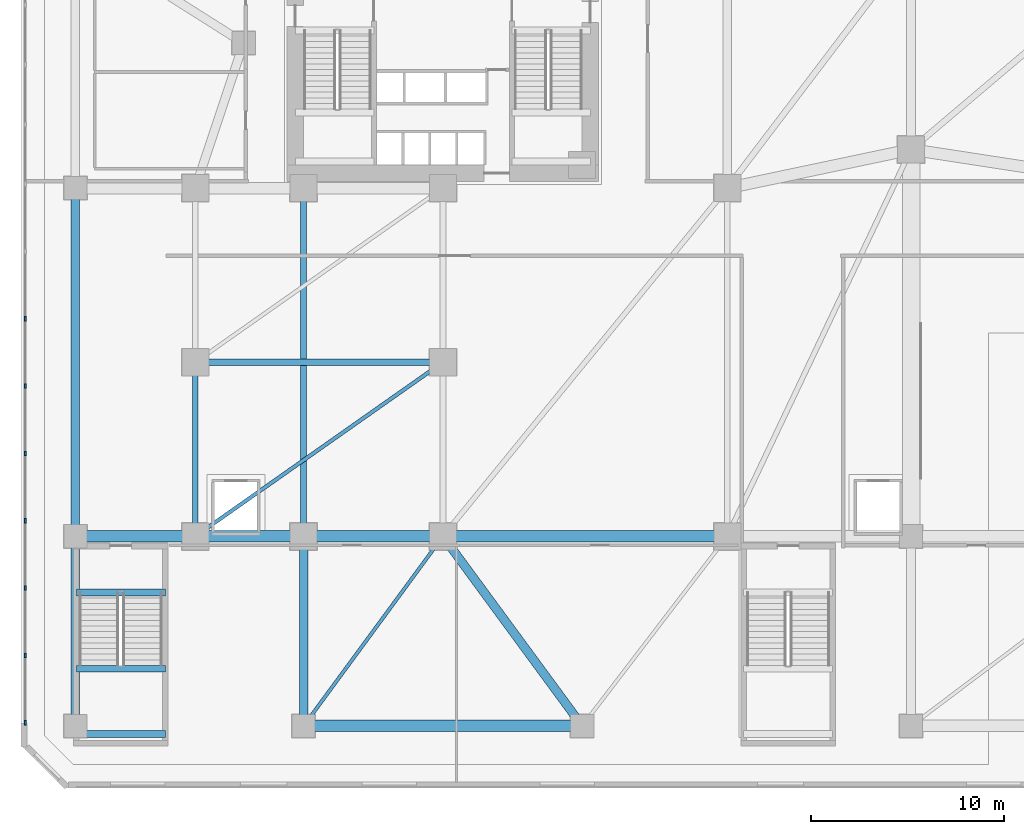
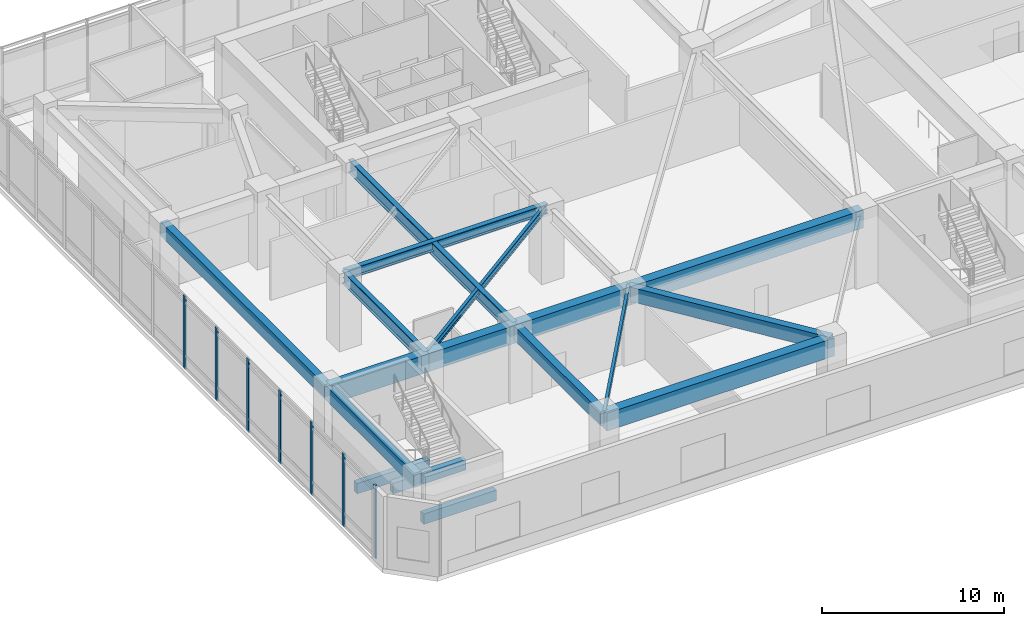
# One storey, part 2 of 15: 17 beams, 7 members, 1 element without a shape of its own.
"""IFC4 building model written with IfcOpenShell, lengths in metres."""

from ifc_helpers import new_model, si_unit, direction, frame, origin, origin_2d, place, context, subcontext, project, spatial, rectangle, i_section, extrude, source, transform, mapped, material, material_profile, profile_set, type_object, element, aggregate, save


model = new_model("IFC4")

# Units and contexts
model_context = context("Model", 3, precision=1e-05, world=origin(), true_north=direction((0.0, 1.0)))
body_context = subcontext(model_context, "Body", "Model", "MODEL_VIEW")
ifc_project = project(units=[si_unit("LENGTHUNIT", "METRE"), si_unit("AREAUNIT", "SQUARE_METRE"), si_unit("VOLUMEUNIT", "CUBIC_METRE"), si_unit("PLANEANGLEUNIT", "RADIAN"), si_unit("MASSUNIT", "GRAM", prefix="KILO")], contexts=[model_context])

# Site, building, storey
site_placement = place(None, origin())
site = spatial("IfcSite", under=ifc_project, at=site_placement, CompositionType="ELEMENT")
building_placement = place(site_placement, origin())
building = spatial("IfcBuilding", under=site, at=building_placement, Name="Calvemar Wedge Station Tower", CompositionType="ELEMENT")
storey_placement = place(building_placement, frame((0.0, 0.0, 16.39990234375)))
storey = spatial("IfcBuildingStorey", under=building, at=storey_placement, Name="L04", CompositionType="ELEMENT", Elevation=16.39990234375)

# Beams
ifc_material_1 = material(Name="Concrete C70", Category="concrete")
ifc_material_profile_1 = material_profile(ifc_material_1, rectangle(XDim=0.35009765625, YDim=0.699951171875, at=origin_2d()), Name="RC350x700")
ifc_profile_set_1 = profile_set([ifc_material_profile_1], Name="Concrete C70")
beam_type_1 = type_object("IfcBeamType", Name="BM-LN1-700", PredefinedType="LINTEL", material=ifc_profile_set_1)
shared_shape_1 = source(origin(), body_context, "Body", "SweptSolid", [
    extrude(rectangle(XDim=0.35009765625, YDim=0.699951171875, at=origin_2d()), origin(), (0.0, 0.0, 1.0), 4.599853515625),
])
for number, where, z_axis, x_axis, name in (
    (1, (4.85009765625, 12.10009765625, -0.349853515625), (1.0, 0.0, 0.0), (0.0, 1.0, 0.0), "Storey L04 Stair ST-P1 Landing Trimmer Beam"),
    (2, (4.85009765625, 4.780029296875, 2.050048828125), (1.0, 0.0, 0.0), (0.0, 1.0, 0.0), "Storey L04 Stair ST-P1 Half-Landing Beam 1A"),
    (3, (4.85009765625, 8.14990234375, 2.050048828125), (1.0, 0.0, 0.0), (0.0, 1.0, 0.0), "Storey L04 Stair ST-P1 Half-Landing Beam 1B"),
):
    element("IfcBeam", number, at=place(storey_placement, frame(where, z_axis=z_axis, x_axis=x_axis)), inside=storey, type_object=beam_type_1, Name=name, PredefinedType="LINTEL", context=body_context, shape_type="MappedRepresentation", body=[
        mapped(shared_shape_1, transform((0.0, 0.0, 0.0), scale=1.0)),
    ])
ifc_material_2 = material(Name="Concrete C60", Category="concrete")
ifc_material_profile_2 = material_profile(ifc_material_2, rectangle(XDim=0.60009765625, YDim=1.199951171875, at=origin_2d()), Name="RC600x1200")
ifc_profile_set_2 = profile_set([ifc_material_profile_2], Name="Concrete C60")
beam_type_2 = type_object("IfcBeamType", Name="BM-G1-1200", PredefinedType="BEAM", material=ifc_profile_set_2)
shared_shape_2 = source(origin(), body_context, "Body", "SweptSolid", [
    extrude(rectangle(XDim=0.60009765625, YDim=1.199951171875, at=origin_2d()), origin(), (0.0, 0.0, 1.0), 14.39990234375),
])
beam_1_placement = place(storey_placement, frame((16.60009765625, 5.199951171875, 4.25), z_axis=(1.0, 0.0, 0.0), x_axis=(0.0, 1.0, 0.0)))
element("IfcBeam", 4, at=beam_1_placement, inside=storey, type_object=beam_type_2, Name="Storey L04 Primary Girder G02", PredefinedType="BEAM", context=body_context, shape_type="MappedRepresentation", body=[
    mapped(shared_shape_2, transform((0.0, 0.0, 0.0), scale=1.0)),
])
shared_shape_3 = source(origin(), body_context, "Body", "SweptSolid", [
    extrude(rectangle(XDim=0.60009765625, YDim=1.199951171875, at=origin_2d()), origin(), (0.0, 0.0, 1.0), 6.199951171875),
])
beam_2_placement = place(storey_placement, frame((4.800048828125, 15.0, 4.25), z_axis=(1.0, 0.0, 0.0), x_axis=(0.0, 1.0, 0.0)))
element("IfcBeam", 5, at=beam_2_placement, inside=storey, type_object=beam_type_2, Name="Storey L04 Primary Girder G05", PredefinedType="BEAM", context=body_context, shape_type="MappedRepresentation", body=[
    mapped(shared_shape_3, transform((0.0, 0.0, 0.0), scale=1.0)),
])
shared_shape_4 = source(origin(), body_context, "Body", "SweptSolid", [
    extrude(rectangle(XDim=0.60009765625, YDim=1.199951171875, at=origin_2d()), origin(), (0.0, 0.0, 1.0), 5.60009765625),
])
beam_3_placement = place(storey_placement, frame((11.0, 15.0, 4.25), z_axis=(1.0, 0.0, 0.0), x_axis=(0.0, 1.0, 0.0)))
element("IfcBeam", 6, at=beam_3_placement, inside=storey, type_object=beam_type_2, Name="Storey L04 Primary Girder G06", PredefinedType="BEAM", context=body_context, shape_type="MappedRepresentation", body=[
    mapped(shared_shape_4, transform((0.0, 0.0, 0.0), scale=1.0)),
])
shared_shape_5 = source(origin(), body_context, "Body", "SweptSolid", [
    extrude(rectangle(XDim=0.60009765625, YDim=1.199951171875, at=origin_2d()), origin(), (0.0, 0.0, 1.0), 7.199951171875),
])
beam_4_placement = place(storey_placement, frame((16.60009765625, 15.0, 4.25), z_axis=(1.0, 0.0, 0.0), x_axis=(0.0, 1.0, 0.0)))
element("IfcBeam", 7, at=beam_4_placement, inside=storey, type_object=beam_type_2, Name="Storey L04 Primary Girder G07", PredefinedType="BEAM", context=body_context, shape_type="MappedRepresentation", body=[
    mapped(shared_shape_5, transform((0.0, 0.0, 0.0), scale=1.0)),
])
shared_shape_6 = source(origin(), body_context, "Body", "SweptSolid", [
    extrude(rectangle(XDim=0.60009765625, YDim=1.199951171875, at=origin_2d()), origin(), (0.0, 0.0, 1.0), 14.699951171875),
])
beam_5_placement = place(storey_placement, frame((23.800048828125, 15.0, 4.25), z_axis=(1.0, 0.0, 0.0), x_axis=(0.0, 1.0, 0.0)))
element("IfcBeam", 8, at=beam_5_placement, inside=storey, type_object=beam_type_2, Name="Storey L04 Primary Girder G08", PredefinedType="BEAM", context=body_context, shape_type="MappedRepresentation", body=[
    mapped(shared_shape_6, transform((0.0, 0.0, 0.0), scale=1.0)),
])
ifc_material_3 = material(Name="Concrete C50", Category="concrete")
ifc_material_profile_3 = material_profile(ifc_material_3, rectangle(XDim=0.449951171875, YDim=0.949951171875, at=origin_2d()), Name="RC450x950")
ifc_profile_set_3 = profile_set([ifc_material_profile_3], Name="Concrete C50")
beam_type_3 = type_object("IfcBeamType", Name="BM-G2-950", PredefinedType="BEAM", material=ifc_profile_set_3)
shared_shape_7 = source(origin(), body_context, "Body", "SweptSolid", [
    extrude(rectangle(XDim=0.449951171875, YDim=0.949951171875, at=origin_2d()), origin(), (0.0, 0.0, 1.0), 18.0),
])
beam_6_placement = place(storey_placement, frame((4.800048828125, 15.0, 4.375), z_axis=(0.0, 1.0, 0.0), x_axis=(-1.0, 0.0, 0.0)))
element("IfcBeam", 9, at=beam_6_placement, inside=storey, type_object=beam_type_3, Name="Storey L04 Primary Girder G18", PredefinedType="BEAM", context=body_context, shape_type="MappedRepresentation", body=[
    mapped(shared_shape_7, transform((0.0, 0.0, 0.0), scale=1.0)),
])
ifc_material_4 = material(Name="Structural steel ASTM A572 Grade 50", Category="steel")
ifc_material_profile_4 = material_profile(ifc_material_4, i_section(OverallWidth=0.303955078125, OverallDepth=0.862060546875, WebThickness=0.019775390625, FlangeThickness=0.035888671875, FilletRadius=0.02001953125, at=origin_2d()), Name="W840x329")
ifc_profile_set_4 = profile_set([ifc_material_profile_4], Name="Structural steel ASTM A572 Grade 50")
beam_type_4 = type_object("IfcBeamType", Name="BM-TR2-W840", PredefinedType="BEAM", material=ifc_profile_set_4)
shared_shape_8 = source(origin(), body_context, "Body", "SweptSolid", [
    extrude(i_section(OverallWidth=0.303955078125, OverallDepth=0.862060546875, WebThickness=0.019775390625, FlangeThickness=0.035888671875, FilletRadius=0.02001953125, at=origin_2d()), origin(), (0.0, 0.0, 1.0), 9.0),
])
beam_7_placement = place(storey_placement, frame((11.0, 15.0, 4.419189453125), z_axis=(0.0, 1.0, 0.0), x_axis=(-1.0, 0.0, 0.0)))
element("IfcBeam", 10, at=beam_7_placement, inside=storey, type_object=beam_type_4, Name="Storey L04 Primary Girder G19", PredefinedType="BEAM", context=body_context, shape_type="MappedRepresentation", body=[
    mapped(shared_shape_8, transform((0.0, 0.0, 0.0), scale=1.0)),
])
shared_shape_9 = source(origin(), body_context, "Body", "SweptSolid", [
    extrude(i_section(OverallWidth=0.303955078125, OverallDepth=0.862060546875, WebThickness=0.019775390625, FlangeThickness=0.035888671875, FilletRadius=0.02001953125, at=origin_2d()), origin(), (0.0, 0.0, 1.0), 18.0),
])
beam_8_placement = place(storey_placement, frame((16.60009765625, 15.0, 4.419189453125), z_axis=(0.0, 1.0, 0.0), x_axis=(-1.0, 0.0, 0.0)))
element("IfcBeam", 11, at=beam_8_placement, inside=storey, type_object=beam_type_4, Name="Storey L04 Primary Girder G21", PredefinedType="BEAM", context=body_context, shape_type="MappedRepresentation", body=[
    mapped(shared_shape_9, transform((0.0, 0.0, 0.0), scale=1.0)),
])
ifc_material_profile_5 = material_profile(ifc_material_4, i_section(OverallWidth=0.3291015625, OverallDepth=0.635009765625, WebThickness=0.017822265625, FlangeThickness=0.031005859375, FilletRadius=0.014892578125, at=origin_2d()), Name="W610x241")
ifc_profile_set_5 = profile_set([ifc_material_profile_5], Name="Structural steel ASTM A572 Grade 50")
beam_type_5 = type_object("IfcBeamType", Name="BM-SB1-W610H", PredefinedType="BEAM", material=ifc_profile_set_5)
shared_shape_10 = source(origin(), body_context, "Body", "SweptSolid", [
    extrude(i_section(OverallWidth=0.3291015625, OverallDepth=0.635009765625, WebThickness=0.017822265625, FlangeThickness=0.031005859375, FilletRadius=0.014892578125, at=origin_2d()), origin(), (0.0, 0.0, 1.0), 12.800048828125),
])
beam_9_placement = place(storey_placement, frame((11.0, 24.0, 4.53271484375), z_axis=(1.0, 0.0, 0.0), x_axis=(0.0, 1.0, 0.0)))
element("IfcBeam", 12, at=beam_9_placement, inside=storey, type_object=beam_type_5, Name="Storey L04 Primary Girder G27", PredefinedType="BEAM", context=body_context, shape_type="MappedRepresentation", body=[
    mapped(shared_shape_10, transform((0.0, 0.0, 0.0), scale=1.0)),
])
shared_shape_11 = source(origin(), body_context, "Body", "SweptSolid", [
    extrude(rectangle(XDim=0.449951171875, YDim=0.949951171875, at=origin_2d()), origin(), (0.0, 0.0, 1.0), 9.800048828125),
])
for number, where, z_axis, x_axis, name in (
    (13, (4.800048828125, 5.199951171875, 4.375), (0.0, 1.0, 0.0), (-1.0, 0.0, 0.0), "Storey L04 Primary Girder G28"),
    (14, (16.60009765625, 5.199951171875, 4.375), (0.0, 1.0, 0.0), (-1.0, 0.0, 0.0), "Storey L04 Primary Girder G29"),
):
    element("IfcBeam", number, at=place(storey_placement, frame(where, z_axis=z_axis, x_axis=x_axis)), inside=storey, type_object=beam_type_3, Name=name, PredefinedType="BEAM", context=body_context, shape_type="MappedRepresentation", body=[
        mapped(shared_shape_11, transform((0.0, 0.0, 0.0), scale=1.0)),
    ])
shared_shape_12 = source(origin(), body_context, "Body", "SweptSolid", [
    extrude(rectangle(XDim=0.449951171875, YDim=0.949951171875, at=origin_2d()), origin(), (0.0, 0.0, 1.0), 12.16064453125),
])
beam_10_placement = place(storey_placement, frame((31.0, 5.199951171875, 4.375), z_axis=(-0.59207191039, 0.805885136311, 0.0), x_axis=(-0.805885136311, -0.59207191039, 0.0)))
element("IfcBeam", 15, at=beam_10_placement, inside=storey, type_object=beam_type_3, Name="Storey L04 Primary Girder G30", PredefinedType="BEAM", context=body_context, shape_type="MappedRepresentation", body=[
    mapped(shared_shape_12, transform((0.0, 0.0, 0.0), scale=1.0)),
])
ifc_material_profile_6 = material_profile(ifc_material_4, i_section(OverallWidth=0.19189453125, OverallDepth=0.462890625, WebThickness=0.010498046875, FlangeThickness=0.017578125, FilletRadius=0.012939453125, at=origin_2d()), Name="W460x89")
ifc_profile_set_6 = profile_set([ifc_material_profile_6], Name="Structural steel ASTM A572 Grade 50")
beam_type_6 = type_object("IfcBeamType", Name="BM-J1-W460", PredefinedType="JOIST", material=ifc_profile_set_6)
shared_shape_13 = source(origin(), body_context, "Body", "SweptSolid", [
    extrude(i_section(OverallWidth=0.19189453125, OverallDepth=0.462890625, WebThickness=0.010498046875, FlangeThickness=0.017578125, FilletRadius=0.012939453125, at=origin_2d()), origin(), (0.0, 0.0, 1.0), 15.6474609375),
])
beam_11_placement = place(storey_placement, frame((11.0, 15.0, 4.61865234375), z_axis=(0.818030190743, 0.575175283747, 0.0), x_axis=(-0.575175283747, 0.818030190743, 0.0)))
element("IfcBeam", 16, at=beam_11_placement, inside=storey, type_object=beam_type_6, Name="Storey L04 Concourse Cross Joist 1", PredefinedType="JOIST", context=body_context, shape_type="MappedRepresentation", body=[
    mapped(shared_shape_13, transform((0.0, 0.0, 0.0), scale=1.0)),
])
ifc_material_profile_7 = material_profile(ifc_material_4, i_section(OverallWidth=0.177978515625, OverallDepth=0.406982421875, WebThickness=0.0078125, FlangeThickness=0.0126953125, FilletRadius=0.010009765625, at=origin_2d()), Name="W410x60")
ifc_profile_set_7 = profile_set([ifc_material_profile_7], Name="Structural steel ASTM A572 Grade 50")
beam_type_7 = type_object("IfcBeamType", Name="BM-J3-W410", PredefinedType="JOIST", material=ifc_profile_set_7)
shared_shape_14 = source(origin(), body_context, "Body", "SweptSolid", [
    extrude(i_section(OverallWidth=0.177978515625, OverallDepth=0.406982421875, WebThickness=0.0078125, FlangeThickness=0.0126953125, FilletRadius=0.010009765625, at=origin_2d()), origin(), (0.0, 0.0, 1.0), 12.16064453125),
])
beam_12_placement = place(storey_placement, frame((16.60009765625, 5.199951171875, 4.646484375), z_axis=(0.59207191039, 0.805885136311, 0.0), x_axis=(-0.805885136311, 0.59207191039, 0.0)))
element("IfcBeam", 17, at=beam_12_placement, inside=storey, type_object=beam_type_7, Name="Storey L04 Concourse Cross Joist 6", PredefinedType="JOIST", context=body_context, shape_type="MappedRepresentation", body=[
    mapped(shared_shape_14, transform((0.0, 0.0, 0.0), scale=1.0)),
])

# Curtain wall, members
ifc_material_5 = material(Name="Anodised aluminium 6063-T6", Category="aluminium")
curtain_wall_type = type_object("IfcCurtainWallType", Name="CW5", PredefinedType="NOTDEFINED", material=ifc_material_5)
curtain_wall_placement = place(storey_placement, origin())
curtain_wall = element("IfcCurtainWall", 18, at=curtain_wall_placement, inside=storey, type_object=curtain_wall_type, Name="Storey L04 CW5 Recessed Unitised Curtain Wall 6", PredefinedType="NOTDEFINED")
ifc_material_profile_8 = material_profile(ifc_material_5, rectangle(XDim=0.0849609375, YDim=0.239990234375, at=origin_2d()), Name="AL-MUL-85x240")
ifc_profile_set_8 = profile_set([ifc_material_profile_8], Name="Anodised aluminium 6063-T6")
member_type = type_object("IfcMemberType", Name="CW5-MUL", PredefinedType="MULLION", material=ifc_profile_set_8)
shared_shape_15 = source(origin(), body_context, "Body", "SweptSolid", [
    extrude(rectangle(XDim=0.0849609375, YDim=0.239990234375, at=origin_2d()), origin(), (0.0, 0.0, 1.0), 4.89990234375),
])
member_1_placement = place(storey_placement, frame((2.2099609375, 26.248046875, -0.0498046875), z_axis=(0.0, 0.0, 1.0), x_axis=(1.0, 0.0, 0.0)))
member_1 = element("IfcMember", 19, at=member_1_placement, type_object=member_type, Name="CW5 mullion 8", PredefinedType="MULLION", context=body_context, shape_type="MappedRepresentation", body=[
    mapped(shared_shape_15, transform((0.0, 0.0, 0.0), scale=1.0)),
])
member_2_placement = place(storey_placement, frame((2.2099609375, 22.76708984375, -0.0498046875), z_axis=(0.0, 0.0, 1.0), x_axis=(1.0, 0.0, 0.0)))
member_2 = element("IfcMember", 20, at=member_2_placement, type_object=member_type, Name="CW5 mullion 9", PredefinedType="MULLION", context=body_context, shape_type="MappedRepresentation", body=[
    mapped(shared_shape_15, transform((0.0, 0.0, 0.0), scale=1.0)),
])
member_3_placement = place(storey_placement, frame((2.2099609375, 19.2861328125, -0.0498046875), z_axis=(0.0, 0.0, 1.0), x_axis=(1.0, 0.0, 0.0)))
member_3 = element("IfcMember", 21, at=member_3_placement, type_object=member_type, Name="CW5 mullion 10", PredefinedType="MULLION", context=body_context, shape_type="MappedRepresentation", body=[
    mapped(shared_shape_15, transform((0.0, 0.0, 0.0), scale=1.0)),
])
member_4_placement = place(storey_placement, frame((2.2099609375, 15.80517578125, -0.0498046875), z_axis=(0.0, 0.0, 1.0), x_axis=(1.0, 0.0, 0.0)))
member_4 = element("IfcMember", 22, at=member_4_placement, type_object=member_type, Name="CW5 mullion 11", PredefinedType="MULLION", context=body_context, shape_type="MappedRepresentation", body=[
    mapped(shared_shape_15, transform((0.0, 0.0, 0.0), scale=1.0)),
])
member_5_placement = place(storey_placement, frame((2.2099609375, 12.32421875, -0.0498046875), z_axis=(0.0, 0.0, 1.0), x_axis=(1.0, 0.0, 0.0)))
member_5 = element("IfcMember", 23, at=member_5_placement, type_object=member_type, Name="CW5 mullion 12", PredefinedType="MULLION", context=body_context, shape_type="MappedRepresentation", body=[
    mapped(shared_shape_15, transform((0.0, 0.0, 0.0), scale=1.0)),
])
member_6_placement = place(storey_placement, frame((2.2099609375, 8.843017578125, -0.0498046875), z_axis=(0.0, 0.0, 1.0), x_axis=(1.0, 0.0, 0.0)))
member_6 = element("IfcMember", 24, at=member_6_placement, type_object=member_type, Name="CW5 mullion 13", PredefinedType="MULLION", context=body_context, shape_type="MappedRepresentation", body=[
    mapped(shared_shape_15, transform((0.0, 0.0, 0.0), scale=1.0)),
])
member_7_placement = place(storey_placement, frame((2.2099609375, 5.362060546875, -0.0498046875), z_axis=(0.0, 0.0, 1.0), x_axis=(1.0, 0.0, 0.0)))
member_7 = element("IfcMember", 25, at=member_7_placement, type_object=member_type, Name="CW5 mullion 14", PredefinedType="MULLION", context=body_context, shape_type="MappedRepresentation", body=[
    mapped(shared_shape_15, transform((0.0, 0.0, 0.0), scale=1.0)),
])
aggregate(curtain_wall, [member_1, member_2, member_3, member_4, member_5, member_6, member_7])

save(model, "model.ifc")
